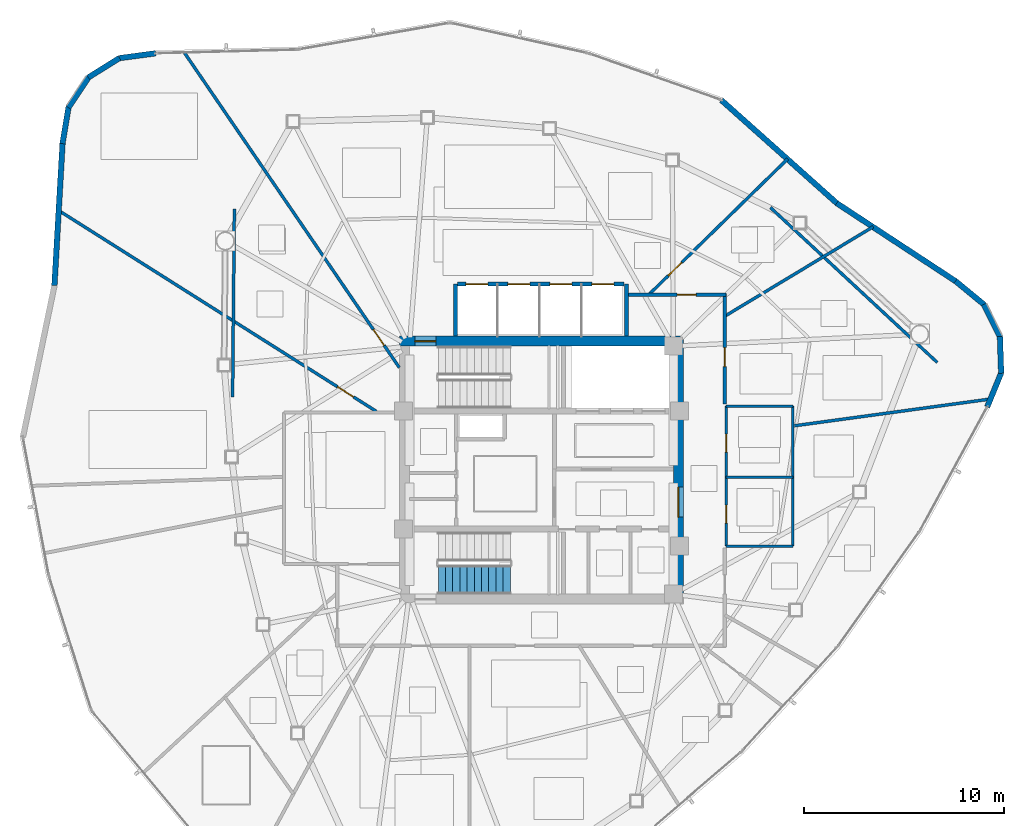
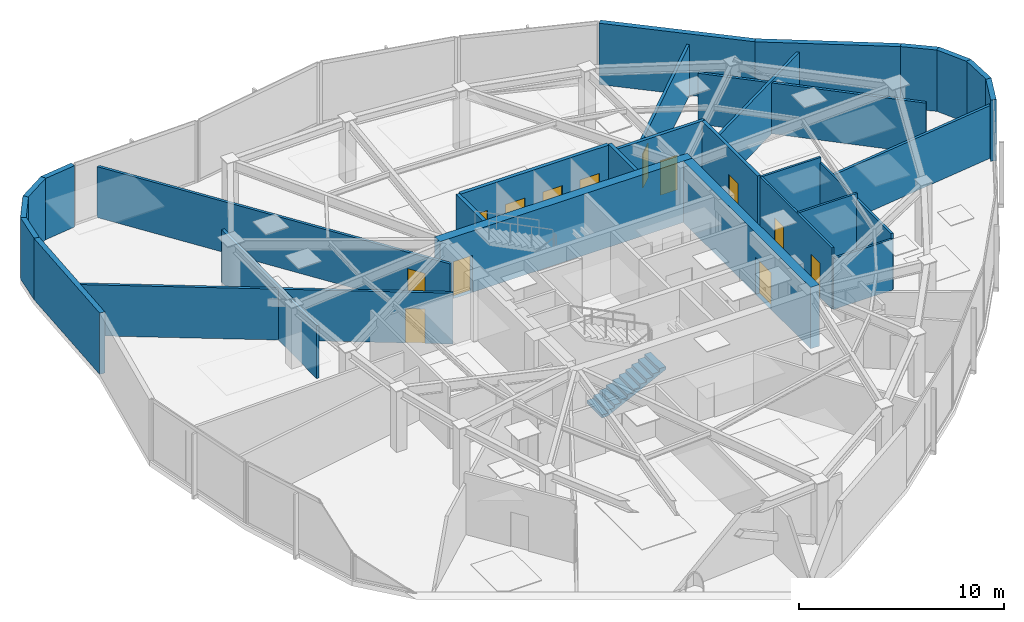
# One storey, part 9 of 13: 30 walls, 13 doors, 1 stair flight, 13 openings, 1 element without a shape of its own.
"""IFC4 building model written with IfcOpenShell, lengths in metres."""

import ifcopenshell
import ifcopenshell.guid

model = None  # the IFC model being written
_history = None  # IfcOwnerHistory: only IFC2X3 demands one
_inside = {}  # id of a spatial element -> (the spatial element, [elements in it])
_under = {}  # id of a project, library or spatial element -> (it, [spatial elements below it])
_declared = {}  # id of a project -> (the project, [libraries it declares])
_typed = {}  # id of a type object -> (the type object, [elements of that type])
_made_of = {}  # id of a material, layer set ... -> (it, [elements and type objects made of it])


def new_model(schema):
    """Start an empty IFC model of exactly this schema.

    Asked for "IFC4X3", IfcOpenShell would pick the latest addendum, in which some entities
    have other attributes; the version numbers below select the first issue.
    IFC2X3 requires an IfcOwnerHistory on every rooted entity: one is made here for all.
    """
    global model, _history
    if schema == "IFC4X3":
        model = ifcopenshell.file(schema_version=(4, 3, 0, 0))
    else:
        model = ifcopenshell.file(schema=schema)
    _inside.clear()
    _under.clear()
    _declared.clear()
    _typed.clear()
    _made_of.clear()
    _history = None
    if model.schema == "IFC2X3":
        org = make("IfcOrganization", Name="unknown")
        user = make(
            "IfcPersonAndOrganization",
            ThePerson=make("IfcPerson", FamilyName="unknown"),
            TheOrganization=org,
        )
        app = make(
            "IfcApplication",
            ApplicationDeveloper=org,
            Version="unknown",
            ApplicationFullName="unknown",
            ApplicationIdentifier="unknown",
        )
        _history = make(
            "IfcOwnerHistory",
            OwningUser=user,
            OwningApplication=app,
            ChangeAction="ADDED",
            CreationDate=0,
        )
    return model


def make(cls, **values):
    """One entity of the class cls with the attributes given. An attribute that is None is left unset."""
    return model.create_entity(
        cls, **{name: value for name, value in values.items() if value is not None}
    )


def rooted(cls, **values):
    """An entity with a GlobalId (a new one), such as an element, a storey or a relation."""
    return make(cls, GlobalId=ifcopenshell.guid.new(), OwnerHistory=_history, **values)


def si_unit(unit_type, name, prefix=None):
    """IfcSIUnit, for example si_unit("LENGTHUNIT", "METRE", prefix="MILLI")."""
    return make("IfcSIUnit", UnitType=unit_type, Prefix=prefix, Name=name)


def assignment(units):
    """IfcUnitAssignment: the units of a project."""
    return None if units is None else make("IfcUnitAssignment", Units=units)


def point(xyz):
    """IfcCartesianPoint."""
    return None if xyz is None else make("IfcCartesianPoint", Coordinates=xyz)


def direction(xyz):
    """IfcDirection."""
    return None if xyz is None else make("IfcDirection", DirectionRatios=xyz)


def frame(location, z_axis=None, x_axis=None):
    """IfcAxis2Placement3D, a coordinate frame: its origin and axes. An axis left out is left unset."""
    return make(
        "IfcAxis2Placement3D",
        Location=point(location),
        Axis=direction(z_axis),
        RefDirection=direction(x_axis),
    )


def frame_2d(location, x_axis=None):
    """IfcAxis2Placement2D, a coordinate frame in the plane: its origin and x axis."""
    return make(
        "IfcAxis2Placement2D", Location=point(location), RefDirection=direction(x_axis)
    )


def origin():
    """The frame at (0, 0, 0) with its axes left unset."""
    return frame((0.0, 0.0, 0.0))


def place(relative_to, where):
    """IfcLocalPlacement: puts the frame where relative to a parent placement (None: the world)."""
    return make(
        "IfcLocalPlacement", PlacementRelTo=relative_to, RelativePlacement=where
    )


def context(
    kind, dimensions, precision=None, world=None, true_north=None, identifier=None
):
    """IfcGeometricRepresentationContext, for example the 3D "Model" context."""
    return make(
        "IfcGeometricRepresentationContext",
        ContextIdentifier=identifier,
        ContextType=kind,
        CoordinateSpaceDimension=dimensions,
        Precision=precision,
        WorldCoordinateSystem=world,
        TrueNorth=true_north,
    )


def subcontext(parent, identifier, kind, view, scale=None):
    """IfcGeometricRepresentationSubContext, for example "Body" below "Model"."""
    return make(
        "IfcGeometricRepresentationSubContext",
        ContextIdentifier=identifier,
        ContextType=kind,
        ParentContext=parent,
        TargetScale=scale,
        TargetView=view,
    )


def project(units=None, contexts=None):
    """IfcProject with its units and contexts."""
    return rooted(
        "IfcProject",
        Name="project",
        RepresentationContexts=contexts,
        UnitsInContext=assignment(units),
    )


def spatial(cls, under=None, at=None, **own):
    """A site, building, storey or space (cls), placed at a placement, below another one or the project."""
    s = rooted(cls, ObjectPlacement=at, **own)
    if under is not None:
        _under.setdefault(under.id(), (under, []))[1].append(s)
    return s


def polyline(points):
    """IfcPolyline through the points."""
    return make("IfcPolyline", Points=[point(p) for p in points])


def profile(cls, at=None, kind="AREA", **sizes):
    """A parametric profile (cls). Its sizes go by their IFC names, for example OverallWidth=200.0."""
    return make(cls, ProfileType=kind, Position=at, **sizes)


def rectangle(**sizes):
    """IfcRectangleProfileDef."""
    return profile("IfcRectangleProfileDef", **sizes)


def outline(outer, holes=None, kind="AREA"):
    """IfcArbitraryClosedProfileDef: a profile drawn as a closed curve; with holes, ...WithVoids."""
    if holes is None:
        return make("IfcArbitraryClosedProfileDef", ProfileType=kind, OuterCurve=outer)
    return make(
        "IfcArbitraryProfileDefWithVoids",
        ProfileType=kind,
        OuterCurve=outer,
        InnerCurves=holes,
    )


def extrude(swept, where, along, depth):
    """IfcExtrudedAreaSolid: the profile swept, set in the frame where, extruded along a direction by depth."""
    return make(
        "IfcExtrudedAreaSolid",
        SweptArea=swept,
        Position=where,
        ExtrudedDirection=direction(along),
        Depth=depth,
    )


def shape(context_of_items, identifier, shape_type, items):
    """IfcShapeRepresentation: the items that make up one representation, for example the "Body"."""
    return make(
        "IfcShapeRepresentation",
        ContextOfItems=context_of_items,
        RepresentationIdentifier=identifier,
        RepresentationType=shape_type,
        Items=items,
    )


def material(Name=None, Category=None):
    """IfcMaterial."""
    return make("IfcMaterial", Name=Name, Category=Category)


def layer(
    of_material, thickness, ventilated=None, Name=None, Category=None, Priority=None
):
    """IfcMaterialLayer: one layer of a wall or slab, of a material (None: an air gap)."""
    return make(
        "IfcMaterialLayer",
        Material=of_material,
        LayerThickness=thickness,
        IsVentilated=ventilated,
        Name=Name,
        Category=Category,
        Priority=Priority,
    )


def layer_set(layers, Name=None):
    """IfcMaterialLayerSet."""
    return make("IfcMaterialLayerSet", MaterialLayers=layers, LayerSetName=Name)


def made_of(thing, what):
    """Note that an element or type object is made of a material, layer set ...; save() writes the relation."""
    if what is not None:
        _made_of.setdefault(what.id(), (what, []))[1].append(thing)
    return thing


def type_object(cls, material=None, **own):
    """A type object (cls), such as IfcWallType, which elements share."""
    return made_of(rooted(cls, **own), material)


def element(
    cls,
    number,
    at=None,
    inside=None,
    cuts=None,
    type_object=None,
    material=None,
    context=None,
    identifier="Body",
    shape_type=None,
    held_by="IfcProductDefinitionShape",
    body=None,
    shapes=None,
    **own,
):
    """One element of the class cls, such as IfcWall. Its Tag is "e" and its number.

    at: its placement. inside: the storey or other place that contains it. cuts: it is an
    opening in that element (IfcRelVoidsElement). A single representation is given by context,
    identifier, shape_type and body (its items); several are given by shapes. held_by: the class
    of the entity that holds the representations. save() writes the other relations.
    """
    e = rooted(cls, Tag="e%d" % number, ObjectPlacement=at, **own)
    if body is not None:
        shapes = [shape(context, identifier, shape_type, body)]
    if shapes is not None:
        e.Representation = make(held_by, Representations=shapes)
    if inside is not None:
        _inside.setdefault(inside.id(), (inside, []))[1].append(e)
    if cuts is not None:
        rooted(
            "IfcRelVoidsElement", RelatingBuildingElement=cuts, RelatedOpeningElement=e
        )
    if type_object is not None:
        _typed.setdefault(type_object.id(), (type_object, []))[1].append(e)
    return made_of(e, material)


def fill(opening, filler):
    """IfcRelFillsElement: the door or window that sits in an opening."""
    return rooted(
        "IfcRelFillsElement",
        RelatingOpeningElement=opening,
        RelatedBuildingElement=filler,
    )


def aggregate(whole, parts):
    """IfcRelAggregates: a whole, such as a stair, and the parts it consists of."""
    return rooted("IfcRelAggregates", RelatingObject=whole, RelatedObjects=parts)


def save(model, path):
    """Write the relations noted so far, then the file.

    IfcRelAggregates (storeys below a building ...), IfcRelContainedInSpatialStructure (elements
    in a storey), IfcRelDefinesByType, IfcRelAssociatesMaterial and IfcRelDeclares: one each for
    every whole, place, type object, material and project.
    """
    for whole, parts in _under.values():
        aggregate(whole, parts)
    for where, things in _inside.values():
        rooted(
            "IfcRelContainedInSpatialStructure",
            RelatedElements=things,
            RelatingStructure=where,
        )
    for kind, things in _typed.values():
        rooted("IfcRelDefinesByType", RelatedObjects=things, RelatingType=kind)
    for what, things in _made_of.values():
        rooted("IfcRelAssociatesMaterial", RelatedObjects=things, RelatingMaterial=what)
    for by, libraries in _declared.values():
        rooted("IfcRelDeclares", RelatingContext=by, RelatedDefinitions=libraries)
    model.write(path)


model = new_model("IFC4")

# Units and contexts
model_context = context("Model", 3, precision=1e-05, world=origin(), true_north=direction((0.0, 1.0)))
body_context = subcontext(model_context, "Body", "Model", "MODEL_VIEW")
ifc_project = project(units=[si_unit("LENGTHUNIT", "METRE"), si_unit("AREAUNIT", "SQUARE_METRE"), si_unit("VOLUMEUNIT", "CUBIC_METRE"), si_unit("PLANEANGLEUNIT", "RADIAN"), si_unit("MASSUNIT", "GRAM", prefix="KILO")], contexts=[model_context])

# Site, building, storey
site_placement = place(None, origin())
site = spatial("IfcSite", under=ifc_project, at=site_placement, CompositionType="ELEMENT")
building_placement = place(site_placement, origin())
building = spatial("IfcBuilding", under=site, at=building_placement, Name="Tavelor Broadcast Tower", CompositionType="ELEMENT")
storey_placement = place(building_placement, frame((0.0, 0.0, 226.10009765625)))
storey = spatial("IfcBuildingStorey", under=building, at=storey_placement, Name="L53", CompositionType="ELEMENT", Elevation=226.10009765625)

# Wall, opening, door
ifc_material_1 = material(Name="Concrete C50/60", Category="concrete")
ifc_layer_1 = layer(ifc_material_1, 0.5)
ifc_layer_set_1 = layer_set([ifc_layer_1], Name="Concrete C50/60")
wall_type_1 = type_object("IfcWallType", Name="Core Shear Wall 500 mm", PredefinedType="SHEAR", material=ifc_layer_set_1)
wall_1_placement = place(storey_placement, frame((42.89990234375, 51.449951171875, 0.0), z_axis=(0.0, 0.0, 1.0), x_axis=(1.0, 0.0, 0.0)))
wall_1 = element("IfcWall", 1, at=wall_1_placement, inside=storey, type_object=wall_type_1, Name="L53 Central Core Shear Wall N", PredefinedType="SHEAR", context=body_context, shape_type="SweptSolid", body=[
    extrude(rectangle(XDim=14.2001953125, YDim=0.5, at=frame_2d((7.10009765625, 0.0))), origin(), (0.0, 0.0, 1.0), 3.64990234375),
])
opening_1_placement = place(wall_1_placement, frame((0.780029296875, 0.0, 0.0)))
opening_1 = element("IfcOpeningElement", 2, at=opening_1_placement, cuts=wall_1, Name="Opening DR11", PredefinedType="OPENING", context=body_context, shape_type="SweptSolid", body=[
    extrude(rectangle(XDim=1.050048828125, YDim=2.199951171875, at=frame_2d((0.52490234375, 1.10009765625))), frame((0.0, 0.260009765625, 0.0), z_axis=(0.0, -1.0, 0.0), x_axis=(1.0, 0.0, 0.0)), (0.0, 0.0, 1.0), 0.52001953125),
])
ifc_material_2 = material(Name="Steel S355", Category="steel")
door_type_1 = type_object("IfcDoorType", Name="Stair Core Fire Escape Door 1050x2200", OperationType="NOTDEFINED", PredefinedType="DOOR", material=ifc_material_2)
door_1_placement = place(opening_1_placement, origin())
door_1 = element("IfcDoor", 3, at=door_1_placement, inside=storey, type_object=door_type_1, Name="L53 Stair ST1 Protected Exit Door", OperationType="SINGLE_SWING_LEFT", OverallHeight=2.199951171875, OverallWidth=1.050048828125, PredefinedType="DOOR", context=body_context, shape_type="SweptSolid", body=[
    extrude(rectangle(XDim=1.050048828125, YDim=2.199951171875, at=frame_2d((0.52490234375, 1.10009765625))), frame((0.0, 0.02490234375, 0.0), z_axis=(0.0, -1.0, 0.0), x_axis=(1.0, 0.0, 0.0)), (0.0, 0.0, 1.0), 0.050048828125),
])
fill(opening_1, door_1)

wall_2_placement = place(storey_placement, frame((56.85009765625, 38.800048828125, 0.0), z_axis=(0.0, 0.0, 1.0), x_axis=(0.0, 1.0, 0.0)))
wall_2 = element("IfcWall", 4, at=wall_2_placement, inside=storey, type_object=wall_type_1, Name="L53 Central Core Shear Wall E", PredefinedType="SHEAR", context=body_context, shape_type="SweptSolid", body=[
    extrude(rectangle(XDim=12.39990234375, YDim=0.5, at=frame_2d((6.199951171875, 0.0))), origin(), (0.0, 0.0, 1.0), 3.64990234375),
])
opening_2_placement = place(wall_2_placement, frame((3.85009765625, 0.0, 0.0)))
opening_2 = element("IfcOpeningElement", 5, at=opening_2_placement, cuts=wall_2, Name="Opening DR14", PredefinedType="OPENING", context=body_context, shape_type="SweptSolid", body=[
    extrude(rectangle(XDim=1.5, YDim=2.199951171875, at=frame_2d((0.75, 1.10009765625))), frame((0.0, 0.260009765625, 0.0), z_axis=(0.0, -1.0, 0.0), x_axis=(1.0, 0.0, 0.0)), (0.0, 0.0, 1.0), 0.52001953125),
])
door_type_2 = type_object("IfcDoorType", Name="Firefighting Lobby Double Fire Door 1500x2200", OperationType="NOTDEFINED", PredefinedType="DOOR", material=ifc_material_2)
door_2_placement = place(opening_2_placement, origin())
door_2 = element("IfcDoor", 6, at=door_2_placement, inside=storey, type_object=door_type_2, Name="L53 Central Core Lobby Fire Door", OperationType="SINGLE_SWING_LEFT", OverallHeight=2.199951171875, OverallWidth=1.5, PredefinedType="DOOR", context=body_context, shape_type="SweptSolid", body=[
    extrude(rectangle(XDim=1.5, YDim=2.199951171875, at=frame_2d((0.75, 1.10009765625))), frame((0.0, 0.02490234375, 0.0), z_axis=(0.0, -1.0, 0.0), x_axis=(1.0, 0.0, 0.0)), (0.0, 0.0, 1.0), 0.050048828125),
])
fill(opening_2, door_2)

ifc_material_3 = material(Name="Calcium Silicate Fire Board 180 mm", Category="gypsum")
ifc_layer_2 = layer(ifc_material_3, 0.179931640625)
ifc_layer_set_2 = layer_set([ifc_layer_2], Name="Calcium Silicate Fire Board 180 mm")
wall_type_2 = type_object("IfcWallType", Name="Fire-Rated Corridor Partition Wall 180 mm", PredefinedType="PARTITIONING", material=ifc_layer_set_2)
wall_3_placement = place(storey_placement, frame((54.300048828125, 53.780029296875, 0.0), z_axis=(0.0, 0.0, 1.0), x_axis=(1.0, 0.0, 0.0)))
wall_3 = element("IfcWall", 7, at=wall_3_placement, inside=storey, type_object=wall_type_2, Name="L53 Corridor Compartment Wall 01", PredefinedType="PARTITIONING", context=body_context, shape_type="SweptSolid", body=[
    extrude(rectangle(XDim=4.929931640625, YDim=0.179931640625, at=frame_2d((2.46484375, 0.0))), origin(), (0.0, 0.0, 1.0), 3.64990234375),
])
opening_3_placement = place(wall_3_placement, frame((2.486083984375, 0.0, 0.0)))
opening_3 = element("IfcOpeningElement", 8, at=opening_3_placement, cuts=wall_3, Name="Opening DR18", PredefinedType="OPENING", context=body_context, shape_type="SweptSolid", body=[
    extrude(rectangle(XDim=0.949951171875, YDim=2.050048828125, at=frame_2d((0.47509765625, 1.02490234375))), frame((0.0, 0.10009765625, 0.0), z_axis=(0.0, -1.0, 0.0), x_axis=(1.0, 0.0, 0.0)), (0.0, 0.0, 1.0), 0.199951171875),
])
ifc_material_4 = material(Name="Timber Solid Core Hardwood", Category="wood")
door_type_3 = type_object("IfcDoorType", Name="Corridor Rated Compartment Door 950x2050", OperationType="NOTDEFINED", PredefinedType="DOOR", material=ifc_material_4)
door_3_placement = place(opening_3_placement, origin())
door_3 = element("IfcDoor", 9, at=door_3_placement, inside=storey, type_object=door_type_3, Name="L53 Podcast Recording Studio Door R9", OperationType="SINGLE_SWING_RIGHT", OverallHeight=2.050048828125, OverallWidth=0.949951171875, PredefinedType="DOOR", context=body_context, shape_type="SweptSolid", body=[
    extrude(rectangle(XDim=0.949951171875, YDim=2.050048828125, at=frame_2d((0.47509765625, 1.02490234375))), frame((0.0, 0.02490234375, 0.0), z_axis=(0.0, -1.0, 0.0), x_axis=(1.0, 0.0, 0.0)), (0.0, 0.0, 1.0), 0.050048828125),
])
fill(opening_3, door_3)

wall_4_placement = place(storey_placement, frame((59.179931640625, 53.830078125, 0.0), z_axis=(0.0, 0.0, 1.0), x_axis=(0.0, -1.0, 0.0)))
wall_4 = element("IfcWall", 10, at=wall_4_placement, inside=storey, type_object=wall_type_2, Name="L53 Corridor Compartment Wall 02", PredefinedType="PARTITIONING", context=body_context, shape_type="SweptSolid", body=[
    extrude(rectangle(XDim=5.530029296875, YDim=0.179931640625, at=frame_2d((2.76513671875, 0.0))), origin(), (0.0, 0.0, 1.0), 3.64990234375),
])
opening_4_placement = place(wall_4_placement, frame((2.708984375, 0.0, 0.0)))
opening_4 = element("IfcOpeningElement", 11, at=opening_4_placement, cuts=wall_4, Name="Opening DR18", PredefinedType="OPENING", context=body_context, shape_type="SweptSolid", body=[
    extrude(rectangle(XDim=0.949951171875, YDim=2.050048828125, at=frame_2d((0.47509765625, 1.02490234375))), frame((0.0, 0.10009765625, 0.0), z_axis=(0.0, -1.0, 0.0), x_axis=(1.0, 0.0, 0.0)), (0.0, 0.0, 1.0), 0.199951171875),
])
door_4_placement = place(opening_4_placement, origin())
door_4 = element("IfcDoor", 12, at=door_4_placement, inside=storey, type_object=door_type_3, Name="L53 Broadcast Craft Workshop Door R10", OperationType="SINGLE_SWING_LEFT", OverallHeight=2.050048828125, OverallWidth=0.949951171875, PredefinedType="DOOR", context=body_context, shape_type="SweptSolid", body=[
    extrude(rectangle(XDim=0.949951171875, YDim=2.050048828125, at=frame_2d((0.47509765625, 1.02490234375))), frame((0.0, 0.02490234375, 0.0), z_axis=(0.0, -1.0, 0.0), x_axis=(1.0, 0.0, 0.0)), (0.0, 0.0, 1.0), 0.050048828125),
])
fill(opening_4, door_4)

# Walls
ifc_material_5 = material(Name="Precast Concrete C40/50", Category="concrete")
ifc_layer_3 = layer(ifc_material_5, 0.280029296875)
ifc_layer_set_3 = layer_set([ifc_layer_3], Name="Precast Concrete C40/50")
wall_type_3 = type_object("IfcWallType", Name="Insulated Precast Terracotta Facade Wall 280 mm", PredefinedType="STANDARD", material=ifc_layer_set_3)
wall_5_placement = place(storey_placement, frame((30.71142578125, 65.843505859375, 0.0), z_axis=(0.0, 0.0, 1.0), x_axis=(-0.99110396013, -0.133089970376, 0.0)))
element("IfcWall", 13, at=wall_5_placement, inside=storey, type_object=wall_type_3, Name="L53 Rounded Corner Structural Cladding Pier 01", PredefinedType="STANDARD", context=body_context, shape_type="SweptSolid", body=[
    extrude(rectangle(XDim=1.84716796875, YDim=0.280029296875, at=frame_2d((0.923583984375, 0.0))), origin(), (0.0, 0.0, 1.0), 3.64990234375),
])
for number, where, z_axis, x_axis, name in (
    (14, (28.908203125, 65.607421875, 0.0), (0.0, 0.0, 1.0), (-0.84852846064, -0.529149743914, 0.0), "L53 Rounded Corner Structural Cladding Pier 02"),
    (15, (27.371826171875, 64.656494140625, 0.0), (0.0, 0.0, 1.0), (-0.555590034271, -0.831456381189, 0.0), "L53 Rounded Corner Structural Cladding Pier 03"),
):
    element("IfcWall", number, at=place(storey_placement, frame(where, z_axis=z_axis, x_axis=x_axis)), inside=storey, type_object=wall_type_3, Name=name, PredefinedType="STANDARD", context=body_context, shape_type="SweptSolid", body=[
        extrude(rectangle(XDim=1.83544921875, YDim=0.280029296875, at=frame_2d((0.917724609375, 0.0))), origin(), (0.0, 0.0, 1.0), 3.64990234375),
    ])
wall_6_placement = place(storey_placement, frame((26.36279296875, 63.15771484375, 0.0), z_axis=(0.0, 0.0, 1.0), x_axis=(-0.164100698814, -0.986443592229, 0.0)))
element("IfcWall", 16, at=wall_6_placement, inside=storey, type_object=wall_type_3, Name="L53 Rounded Corner Structural Cladding Pier 04", PredefinedType="STANDARD", context=body_context, shape_type="SweptSolid", body=[
    extrude(rectangle(XDim=1.858154296875, YDim=0.280029296875, at=frame_2d((0.92919921875, 0.0))), origin(), (0.0, 0.0, 1.0), 3.64990234375),
])
wall_7_placement = place(storey_placement, frame((26.06103515625, 61.3544921875, 0.0), z_axis=(0.0, 0.0, 1.0), x_axis=(-0.057145290903, -0.998365872678, 0.0)))
element("IfcWall", 17, at=wall_7_placement, inside=storey, type_object=wall_type_3, Name="L53 Rounded Corner Structural Cladding Pier 05", PredefinedType="STANDARD", context=body_context, shape_type="SweptSolid", body=[
    extrude(rectangle(XDim=7.134765625, YDim=0.280029296875, at=frame_2d((3.5673828125, 0.0))), origin(), (0.0, 0.0, 1.0), 3.64990234375),
])
wall_8_placement = place(storey_placement, frame((72.29541015625, 48.1650390625, 0.0), z_axis=(0.0, 0.0, 1.0), x_axis=(0.380284386487, 0.924869604536, 0.0)))
element("IfcWall", 18, at=wall_8_placement, inside=storey, type_object=wall_type_3, Name="L53 Rounded Corner Structural Cladding Pier 21", PredefinedType="STANDARD", context=body_context, shape_type="SweptSolid", body=[
    extrude(rectangle(XDim=1.846923828125, YDim=0.280029296875, at=frame_2d((0.92333984375, 0.0))), origin(), (0.0, 0.0, 1.0), 3.64990234375),
])
for number, where, z_axis, x_axis, name in (
    (19, (72.992431640625, 49.844482421875, 0.0), (0.0, 0.0, 1.0), (-0.034049980518, 0.99942013129, 0.0), "L53 Rounded Corner Structural Cladding Pier 22"),
    (20, (72.93701171875, 51.650634765625, 0.0), (0.0, 0.0, 1.0), (-0.442258774517, 0.896887493704, 0.0), "L53 Rounded Corner Structural Cladding Pier 23"),
):
    element("IfcWall", number, at=place(storey_placement, frame(where, z_axis=z_axis, x_axis=x_axis)), inside=storey, type_object=wall_type_3, Name=name, PredefinedType="STANDARD", context=body_context, shape_type="SweptSolid", body=[
        extrude(rectangle(XDim=1.83544921875, YDim=0.280029296875, at=frame_2d((0.917724609375, 0.0))), origin(), (0.0, 0.0, 1.0), 3.64990234375),
    ])
wall_9_placement = place(storey_placement, frame((72.1435546875, 53.273681640625, 0.0), z_axis=(0.0, 0.0, 1.0), x_axis=(-0.772116029825, 0.635481578401, 0.0)))
element("IfcWall", 21, at=wall_9_placement, inside=storey, type_object=wall_type_3, Name="L53 Rounded Corner Structural Cladding Pier 24", PredefinedType="STANDARD", context=body_context, shape_type="SweptSolid", body=[
    extrude(rectangle(XDim=1.8583984375, YDim=0.280029296875, at=frame_2d((0.92919921875, 0.0))), origin(), (0.0, 0.0, 1.0), 3.64990234375),
])
wall_10_placement = place(storey_placement, frame((70.73291015625, 54.436767578125, 0.0), z_axis=(0.0, 0.0, 1.0), x_axis=(-0.836040062558, 0.548668400583, 0.0)))
element("IfcWall", 22, at=wall_10_placement, inside=storey, type_object=wall_type_3, Name="L53 Rounded Corner Structural Cladding Pier 25", PredefinedType="STANDARD", context=body_context, shape_type="SweptSolid", body=[
    extrude(rectangle(XDim=7.134521484375, YDim=0.280029296875, at=frame_2d((3.5673828125, 0.0))), origin(), (0.0, 0.0, 1.0), 3.64990234375),
])
wall_11_placement = place(storey_placement, frame((64.791748046875, 58.333251953125, 0.0), z_axis=(0.0, 0.0, 1.0), x_axis=(-0.745976161207, 0.665972647269, 0.0)))
element("IfcWall", 23, at=wall_11_placement, inside=storey, type_object=wall_type_3, Name="L53 Rounded Corner Structural Cladding Pier 26", PredefinedType="STANDARD", context=body_context, shape_type="SweptSolid", body=[
    extrude(rectangle(XDim=7.763427734375, YDim=0.280029296875, at=frame_2d((3.8818359375, 0.0))), origin(), (0.0, 0.0, 1.0), 3.64990234375),
])
ifc_material_6 = material(Name="Gypsum Acoustic Plasterboard 150 mm", Category="gypsum")
ifc_layer_4 = layer(ifc_material_6, 0.14990234375)
ifc_layer_set_4 = layer_set([ifc_layer_4], Name="Gypsum Acoustic Plasterboard 150 mm")
wall_type_4 = type_object("IfcWallType", Name="Interior Acoustic Partition Wall 150 mm", PredefinedType="PARTITIONING", material=ifc_layer_set_4)
wall_12_placement = place(storey_placement, frame((34.651611328125, 58.0556640625, 0.0), z_axis=(0.0, 0.0, 1.0), x_axis=(-0.009553538759, -0.999954363907, 0.0)))
element("IfcWall", 24, at=wall_12_placement, inside=storey, type_object=wall_type_4, Name="L53 Corner Tube Brace Furring Wall 1", PredefinedType="PARTITIONING", context=body_context, shape_type="SweptSolid", body=[
    extrude(rectangle(XDim=9.404296875, YDim=0.14990234375, at=frame_2d((4.7021484375, 0.0))), origin(), (0.0, 0.0, 1.0), 3.135009765625),
])
wall_13_placement = place(storey_placement, frame((69.79248046875, 50.387939453125, 0.0), z_axis=(0.0, 0.0, 1.0), x_axis=(-0.732769799181, 0.680476613418, 0.0)))
element("IfcWall", 25, at=wall_13_placement, inside=storey, type_object=wall_type_4, Name="L53 Corner Tube Brace Furring Wall 3", PredefinedType="PARTITIONING", context=body_context, shape_type="SweptSolid", body=[
    extrude(rectangle(XDim=11.377685546875, YDim=0.14990234375, at=frame_2d((5.68896484375, 0.0))), origin(), (0.0, 0.0, 1.0), 3.02490234375),
])
wall_14_placement = place(storey_placement, frame((62.64990234375, 47.2177734375, 0.0), z_axis=(0.0, 0.0, 1.0), x_axis=(0.990815618687, 0.135219857145, 0.0)))
element("IfcWall", 26, at=wall_14_placement, inside=storey, type_object=wall_type_4, Name="L53 Radial Compartment Wall 03", PredefinedType="PARTITIONING", context=body_context, shape_type="SweptSolid", body=[
    extrude(rectangle(XDim=9.90869140625, YDim=0.14990234375, at=frame_2d((4.954345703125, 0.0))), origin(), (0.0, 0.0, 1.0), 3.135009765625),
])
wall_15_placement = place(storey_placement, frame((59.179931640625, 52.70263671875, 0.0), z_axis=(0.0, 0.0, 1.0), x_axis=(0.856467782729, 0.516200481544, 0.0)))
element("IfcWall", 27, at=wall_15_placement, inside=storey, type_object=wall_type_4, Name="L53 Radial Compartment Wall 04", PredefinedType="PARTITIONING", context=body_context, shape_type="SweptSolid", body=[
    extrude(rectangle(XDim=8.65087890625, YDim=0.14990234375, at=frame_2d((4.325439453125, 0.0))), origin(), (0.0, 0.0, 1.0), 3.135009765625),
])

# Wall, opening, door
wall_16_placement = place(storey_placement, frame((55.3798828125, 53.780029296875, 0.0), z_axis=(0.0, 0.0, 1.0), x_axis=(0.715018135808, 0.699105904327, 0.0)))
wall_16 = element("IfcWall", 28, at=wall_16_placement, inside=storey, type_object=wall_type_4, Name="L53 Radial Compartment Wall 05", PredefinedType="PARTITIONING", context=body_context, shape_type="SweptSolid", body=[
    extrude(rectangle(XDim=9.69677734375, YDim=0.14990234375, at=frame_2d((4.848388671875, 0.0))), origin(), (0.0, 0.0, 1.0), 3.02490234375),
])
opening_5_placement = place(wall_16_placement, frame((1.35009765625, 0.0, 0.0)))
opening_5 = element("IfcOpeningElement", 29, at=opening_5_placement, cuts=wall_16, Name="Opening DR18", PredefinedType="OPENING", context=body_context, shape_type="SweptSolid", body=[
    extrude(rectangle(XDim=0.949951171875, YDim=2.050048828125, at=frame_2d((0.47509765625, 1.02490234375))), frame((0.0, 0.0849609375, 0.0), z_axis=(0.0, -1.0, 0.0), x_axis=(1.0, 0.0, 0.0)), (0.0, 0.0, 1.0), 0.169921875),
])
door_5_placement = place(opening_5_placement, origin())
door_5 = element("IfcDoor", 30, at=door_5_placement, inside=storey, type_object=door_type_3, Name="L53 Suite Connecting Door 8", OperationType="SINGLE_SWING_RIGHT", OverallHeight=2.050048828125, OverallWidth=0.949951171875, PredefinedType="DOOR", context=body_context, shape_type="SweptSolid", body=[
    extrude(rectangle(XDim=0.949951171875, YDim=2.050048828125, at=frame_2d((0.47509765625, 1.02490234375))), frame((0.0, 0.02490234375, 0.0), z_axis=(0.0, -1.0, 0.0), x_axis=(1.0, 0.0, 0.0)), (0.0, 0.0, 1.0), 0.050048828125),
])
fill(opening_5, door_5)

wall_17_placement = place(storey_placement, frame((42.89990234375, 50.1279296875, 0.0), z_axis=(0.0, 0.0, 1.0), x_axis=(-0.563748413046, 0.825946564124, 0.0)))
wall_17 = element("IfcWall", 31, at=wall_17_placement, inside=storey, type_object=wall_type_4, Name="L53 Radial Compartment Wall 06", PredefinedType="PARTITIONING", context=body_context, shape_type="SweptSolid", body=[
    extrude(rectangle(XDim=19.08349609375, YDim=0.14990234375, at=frame_2d((9.541748046875, 0.0))), origin(), (0.0, 0.0, 1.0), 3.02490234375),
])
opening_6_placement = place(wall_17_placement, frame((1.35009765625, 0.0, 0.0)))
opening_6 = element("IfcOpeningElement", 32, at=opening_6_placement, cuts=wall_17, Name="Opening DR18", PredefinedType="OPENING", context=body_context, shape_type="SweptSolid", body=[
    extrude(rectangle(XDim=0.949951171875, YDim=2.050048828125, at=frame_2d((0.47509765625, 1.02490234375))), frame((0.0, 0.0849609375, 0.0), z_axis=(0.0, -1.0, 0.0), x_axis=(1.0, 0.0, 0.0)), (0.0, 0.0, 1.0), 0.169921875),
])
door_6_placement = place(opening_6_placement, origin())
door_6 = element("IfcDoor", 33, at=door_6_placement, inside=storey, type_object=door_type_3, Name="L53 Suite Connecting Door 7", OperationType="SINGLE_SWING_LEFT", OverallHeight=2.050048828125, OverallWidth=0.949951171875, PredefinedType="DOOR", context=body_context, shape_type="SweptSolid", body=[
    extrude(rectangle(XDim=0.949951171875, YDim=2.050048828125, at=frame_2d((0.47509765625, 1.02490234375))), frame((0.0, 0.02490234375, 0.0), z_axis=(0.0, -1.0, 0.0), x_axis=(1.0, 0.0, 0.0)), (0.0, 0.0, 1.0), 0.050048828125),
])
fill(opening_6, door_6)

wall_18_placement = place(storey_placement, frame((41.750244140625, 47.93994140625, 0.0), z_axis=(0.0, 0.0, 1.0), x_axis=(-0.845215418547, 0.534425763086, 0.0)))
wall_18 = element("IfcWall", 34, at=wall_18_placement, inside=storey, type_object=wall_type_4, Name="L53 Radial Compartment Wall 07", PredefinedType="PARTITIONING", context=body_context, shape_type="SweptSolid", body=[
    extrude(rectangle(XDim=18.80224609375, YDim=0.14990234375, at=frame_2d((9.401123046875, 0.0))), origin(), (0.0, 0.0, 1.0), 3.02490234375),
])
opening_7_placement = place(wall_18_placement, frame((1.35009765625, 0.0, 0.0)))
opening_7 = element("IfcOpeningElement", 35, at=opening_7_placement, cuts=wall_18, Name="Opening DR18", PredefinedType="OPENING", context=body_context, shape_type="SweptSolid", body=[
    extrude(rectangle(XDim=0.949951171875, YDim=2.050048828125, at=frame_2d((0.47509765625, 1.02490234375))), frame((0.0, 0.0849609375, 0.0), z_axis=(0.0, -1.0, 0.0), x_axis=(1.0, 0.0, 0.0)), (0.0, 0.0, 1.0), 0.169921875),
])
door_7_placement = place(opening_7_placement, origin())
door_7 = element("IfcDoor", 36, at=door_7_placement, inside=storey, type_object=door_type_3, Name="L53 Suite Connecting Door 6", OperationType="SINGLE_SWING_RIGHT", OverallHeight=2.050048828125, OverallWidth=0.949951171875, PredefinedType="DOOR", context=body_context, shape_type="SweptSolid", body=[
    extrude(rectangle(XDim=0.949951171875, YDim=2.050048828125, at=frame_2d((0.47509765625, 1.02490234375))), frame((0.0, 0.02490234375, 0.0), z_axis=(0.0, -1.0, 0.0), x_axis=(1.0, 0.0, 0.0)), (0.0, 0.0, 1.0), 0.050048828125),
])
fill(opening_7, door_7)

# Wall, openings, doors
ifc_material_7 = material(Name="Concrete Blockwork 200 mm", Category="masonry")
ifc_layer_5 = layer(ifc_material_7, 0.199951171875)
ifc_layer_set_5 = layer_set([ifc_layer_5], Name="Concrete Blockwork 200 mm")
wall_type_5 = type_object("IfcWallType", Name="Lift Hoistway Rated Front Wall 200 mm", PredefinedType="PARTITIONING", material=ifc_layer_set_5)
wall_19_placement = place(storey_placement, frame((45.820068359375, 54.300048828125, 0.0), z_axis=(0.0, 0.0, 1.0), x_axis=(1.0, 0.0, 0.0)))
wall_19 = element("IfcWall", 37, at=wall_19_placement, inside=storey, type_object=wall_type_5, Name="L53 High-Rise Lift Hoistway Front Wall", PredefinedType="PARTITIONING", context=body_context, shape_type="SweptSolid", body=[
    extrude(rectangle(XDim=8.309814453125, YDim=0.199951171875, at=frame_2d((4.15478515625, 0.0))), origin(), (0.0, 0.0, 1.0), 3.64990234375),
])
opening_8_placement = place(wall_19_placement, frame((0.405029296875, 0.0, 0.0)))
opening_8 = element("IfcOpeningElement", 38, at=opening_8_placement, cuts=wall_19, Name="Opening LD01", PredefinedType="OPENING", context=body_context, shape_type="SweptSolid", body=[
    extrude(rectangle(XDim=1.10009765625, YDim=2.14990234375, at=frame_2d((0.550048828125, 1.074951171875))), frame((0.0, 0.10986328125, 0.0), z_axis=(0.0, -1.0, 0.0), x_axis=(1.0, 0.0, 0.0)), (0.0, 0.0, 1.0), 0.219970703125),
])
opening_9_placement = place(wall_19_placement, frame((2.5048828125, 0.0, 0.0)))
opening_9 = element("IfcOpeningElement", 39, at=opening_9_placement, cuts=wall_19, Name="Opening LD01", PredefinedType="OPENING", context=body_context, shape_type="SweptSolid", body=[
    extrude(rectangle(XDim=1.10009765625, YDim=2.14990234375, at=frame_2d((0.550048828125, 1.074951171875))), frame((0.0, 0.10986328125, 0.0), z_axis=(0.0, -1.0, 0.0), x_axis=(1.0, 0.0, 0.0)), (0.0, 0.0, 1.0), 0.219970703125),
])
opening_10_placement = place(wall_19_placement, frame((4.60498046875, 0.0, 0.0)))
opening_10 = element("IfcOpeningElement", 40, at=opening_10_placement, cuts=wall_19, Name="Opening LD01", PredefinedType="OPENING", context=body_context, shape_type="SweptSolid", body=[
    extrude(rectangle(XDim=1.10009765625, YDim=2.14990234375, at=frame_2d((0.550048828125, 1.074951171875))), frame((0.0, 0.10986328125, 0.0), z_axis=(0.0, -1.0, 0.0), x_axis=(1.0, 0.0, 0.0)), (0.0, 0.0, 1.0), 0.219970703125),
])
opening_11_placement = place(wall_19_placement, frame((6.705078125, 0.0, 0.0)))
opening_11 = element("IfcOpeningElement", 41, at=opening_11_placement, cuts=wall_19, Name="Opening LD01", PredefinedType="OPENING", context=body_context, shape_type="SweptSolid", body=[
    extrude(rectangle(XDim=1.10009765625, YDim=2.14990234375, at=frame_2d((0.550048828125, 1.074951171875))), frame((0.0, 0.10986328125, 0.0), z_axis=(0.0, -1.0, 0.0), x_axis=(1.0, 0.0, 0.0)), (0.0, 0.0, 1.0), 0.219970703125),
])
ifc_material_8 = material(Name="Brushed Stainless Steel", Category="steel")
door_type_4 = type_object("IfcDoorType", Name="Passenger Lift Sliding Landing Door 1100x2150", OperationType="NOTDEFINED", PredefinedType="DOOR", material=ifc_material_8)
door_8_placement = place(opening_8_placement, origin())
door_8 = element("IfcDoor", 42, at=door_8_placement, inside=storey, type_object=door_type_4, Name="L53 Lift PLH1 Sliding Landing Door", OperationType="SLIDING_TO_LEFT", OverallHeight=2.14990234375, OverallWidth=1.10009765625, PredefinedType="DOOR", context=body_context, shape_type="SweptSolid", body=[
    extrude(rectangle(XDim=1.10009765625, YDim=2.14990234375, at=frame_2d((0.550048828125, 1.074951171875))), frame((0.0, 0.02490234375, 0.0), z_axis=(0.0, -1.0, 0.0), x_axis=(1.0, 0.0, 0.0)), (0.0, 0.0, 1.0), 0.050048828125),
])
fill(opening_8, door_8)
door_9_placement = place(opening_9_placement, origin())
door_9 = element("IfcDoor", 43, at=door_9_placement, inside=storey, type_object=door_type_4, Name="L53 Lift PLH2 Sliding Landing Door", OperationType="SLIDING_TO_RIGHT", OverallHeight=2.14990234375, OverallWidth=1.10009765625, PredefinedType="DOOR", context=body_context, shape_type="SweptSolid", body=[
    extrude(rectangle(XDim=1.10009765625, YDim=2.14990234375, at=frame_2d((0.550048828125, 1.074951171875))), frame((0.0, 0.02490234375, 0.0), z_axis=(0.0, -1.0, 0.0), x_axis=(1.0, 0.0, 0.0)), (0.0, 0.0, 1.0), 0.050048828125),
])
fill(opening_9, door_9)
door_10_placement = place(opening_10_placement, origin())
door_10 = element("IfcDoor", 44, at=door_10_placement, inside=storey, type_object=door_type_4, Name="L53 Lift PLH3 Sliding Landing Door", OperationType="SLIDING_TO_LEFT", OverallHeight=2.14990234375, OverallWidth=1.10009765625, PredefinedType="DOOR", context=body_context, shape_type="SweptSolid", body=[
    extrude(rectangle(XDim=1.10009765625, YDim=2.14990234375, at=frame_2d((0.550048828125, 1.074951171875))), frame((0.0, 0.02490234375, 0.0), z_axis=(0.0, -1.0, 0.0), x_axis=(1.0, 0.0, 0.0)), (0.0, 0.0, 1.0), 0.050048828125),
])
fill(opening_10, door_10)
door_11_placement = place(opening_11_placement, origin())
door_11 = element("IfcDoor", 45, at=door_11_placement, inside=storey, type_object=door_type_4, Name="L53 Lift PLH4 Sliding Landing Door", OperationType="SLIDING_TO_RIGHT", OverallHeight=2.14990234375, OverallWidth=1.10009765625, PredefinedType="DOOR", context=body_context, shape_type="SweptSolid", body=[
    extrude(rectangle(XDim=1.10009765625, YDim=2.14990234375, at=frame_2d((0.550048828125, 1.074951171875))), frame((0.0, 0.02490234375, 0.0), z_axis=(0.0, -1.0, 0.0), x_axis=(1.0, 0.0, 0.0)), (0.0, 0.0, 1.0), 0.050048828125),
])
fill(opening_11, door_11)

# Walls
ifc_layer_6 = layer(ifc_material_7, 0.199951171875)
ifc_layer_set_6 = layer_set([ifc_layer_6], Name="Concrete Blockwork 200 mm")
wall_type_6 = type_object("IfcWallType", Name="Lift and Riser Shaft Enclosure Wall 200 mm", PredefinedType="PARTITIONING", material=ifc_layer_set_6)
for number, where, z_axis, x_axis, name in (
    (46, (45.699951171875, 51.699951171875, 0.0), (0.0, 0.0, 1.0), (0.0, 1.0, 0.0), "L53 High-Rise Lift Shaft West Wall"),
    (47, (54.25, 51.699951171875, 0.0), (0.0, 0.0, 1.0), (0.0, 1.0, 0.0), "L53 High-Rise Lift Shaft East Wall"),
):
    element("IfcWall", number, at=place(storey_placement, frame(where, z_axis=z_axis, x_axis=x_axis)), inside=storey, type_object=wall_type_6, Name=name, PredefinedType="PARTITIONING", context=body_context, shape_type="SweptSolid", body=[
        extrude(rectangle(XDim=2.60009765625, YDim=0.199951171875, at=frame_2d((1.300048828125, 0.0))), origin(), (0.0, 0.0, 1.0), 3.64990234375),
    ])

# Wall, openings, doors
ifc_material_9 = material(Name="Moisture-Resistant Plasterboard 120 mm", Category="gypsum")
ifc_layer_7 = layer(ifc_material_9, 0.1201171875)
ifc_layer_set_7 = layer_set([ifc_layer_7], Name="Moisture-Resistant Plasterboard 120 mm")
wall_type_7 = type_object("IfcWallType", Name="Moisture-Resistant Wet-Room Partition 120 mm", PredefinedType="PARTITIONING", material=ifc_layer_set_7)
wall_20_placement = place(storey_placement, frame((59.239990234375, 41.199951171875, 0.0), z_axis=(0.0, 0.0, 1.0), x_axis=(0.0, 1.0, 0.0)))
wall_20 = element("IfcWall", 48, at=wall_20_placement, inside=storey, type_object=wall_type_7, Name="L53 Floor Washrooms West Wall", PredefinedType="PARTITIONING", context=body_context, shape_type="SweptSolid", body=[
    extrude(rectangle(XDim=7.0, YDim=0.1201171875, at=frame_2d((3.5, 0.0))), origin(), (0.0, 0.0, 1.0), 3.64990234375),
])
opening_12_placement = place(wall_20_placement, frame((1.14990234375, 0.0, 0.0)))
opening_12 = element("IfcOpeningElement", 49, at=opening_12_placement, cuts=wall_20, Name="Opening DR32", PredefinedType="OPENING", context=body_context, shape_type="SweptSolid", body=[
    extrude(rectangle(XDim=0.89990234375, YDim=2.050048828125, at=frame_2d((0.449951171875, 1.02490234375))), frame((0.0, 0.070068359375, 0.0), z_axis=(0.0, -1.0, 0.0), x_axis=(1.0, 0.0, 0.0)), (0.0, 0.0, 1.0), 0.14013671875),
])
opening_13_placement = place(wall_20_placement, frame((4.699951171875, 0.0, 0.0)))
opening_13 = element("IfcOpeningElement", 50, at=opening_13_placement, cuts=wall_20, Name="Opening DR32", PredefinedType="OPENING", context=body_context, shape_type="SweptSolid", body=[
    extrude(rectangle(XDim=0.89990234375, YDim=2.050048828125, at=frame_2d((0.449951171875, 1.02490234375))), frame((0.0, 0.070068359375, 0.0), z_axis=(0.0, -1.0, 0.0), x_axis=(1.0, 0.0, 0.0)), (0.0, 0.0, 1.0), 0.14013671875),
])
door_type_5 = type_object("IfcDoorType", Name="Accessible Washroom Door 900x2050", OperationType="NOTDEFINED", PredefinedType="DOOR", material=ifc_material_4)
door_12_placement = place(opening_12_placement, origin())
door_12 = element("IfcDoor", 51, at=door_12_placement, inside=storey, type_object=door_type_5, Name="L53 Accessible WC Door", OperationType="SINGLE_SWING_LEFT", OverallHeight=2.050048828125, OverallWidth=0.89990234375, PredefinedType="DOOR", context=body_context, shape_type="SweptSolid", body=[
    extrude(rectangle(XDim=0.89990234375, YDim=2.050048828125, at=frame_2d((0.449951171875, 1.02490234375))), frame((0.0, 0.02490234375, 0.0), z_axis=(0.0, -1.0, 0.0), x_axis=(1.0, 0.0, 0.0)), (0.0, 0.0, 1.0), 0.050048828125),
])
fill(opening_12, door_12)
door_13_placement = place(opening_13_placement, origin())
door_13 = element("IfcDoor", 52, at=door_13_placement, inside=storey, type_object=door_type_5, Name="L53 Staff Washroom WC Door", OperationType="SINGLE_SWING_RIGHT", OverallHeight=2.050048828125, OverallWidth=0.89990234375, PredefinedType="DOOR", context=body_context, shape_type="SweptSolid", body=[
    extrude(rectangle(XDim=0.89990234375, YDim=2.050048828125, at=frame_2d((0.449951171875, 1.02490234375))), frame((0.0, 0.02490234375, 0.0), z_axis=(0.0, -1.0, 0.0), x_axis=(1.0, 0.0, 0.0)), (0.0, 0.0, 1.0), 0.050048828125),
])
fill(opening_13, door_13)

# Walls
wall_21_placement = place(storey_placement, frame((59.239990234375, 41.199951171875, 0.0), z_axis=(0.0, 0.0, 1.0), x_axis=(1.0, 0.0, 0.0)))
element("IfcWall", 53, at=wall_21_placement, inside=storey, type_object=wall_type_7, Name="L53 Floor Washrooms South Wall", PredefinedType="PARTITIONING", context=body_context, shape_type="SweptSolid", body=[
    extrude(rectangle(XDim=3.340087890625, YDim=0.1201171875, at=frame_2d((1.669921875, 0.0))), origin(), (0.0, 0.0, 1.0), 3.02490234375),
])
for number, where, z_axis, x_axis, name in (
    (54, (59.239990234375, 44.64990234375, 0.0), (0.0, 0.0, 1.0), (1.0, 0.0, 0.0), "L53 Floor Washrooms Divider Wall"),
    (55, (59.239990234375, 48.199951171875, 0.0), (0.0, 0.0, 1.0), (1.0, 0.0, 0.0), "L53 Floor Washrooms North Wall"),
):
    element("IfcWall", number, at=place(storey_placement, frame(where, z_axis=z_axis, x_axis=x_axis)), inside=storey, type_object=wall_type_7, Name=name, PredefinedType="PARTITIONING", context=body_context, shape_type="SweptSolid", body=[
        extrude(rectangle(XDim=3.340087890625, YDim=0.1201171875, at=frame_2d((1.669921875, 0.0))), origin(), (0.0, 0.0, 1.0), 3.64990234375),
    ])
wall_22_placement = place(storey_placement, frame((62.580078125, 41.199951171875, 0.0), z_axis=(0.0, 0.0, 1.0), x_axis=(0.0, 1.0, 0.0)))
element("IfcWall", 56, at=wall_22_placement, inside=storey, type_object=wall_type_7, Name="L53 Floor Washrooms East Wall", PredefinedType="PARTITIONING", context=body_context, shape_type="SweptSolid", body=[
    extrude(rectangle(XDim=7.0, YDim=0.1201171875, at=frame_2d((3.5, 0.0))), origin(), (0.0, 0.0, 1.0), 3.324951171875),
])

# Stair, stair flight
ifc_material_10 = material(Name="Concrete C40/50", Category="concrete")
stair_type = type_object("IfcStairType", Name="Reinforced Concrete Protected Dogleg Stair 1450 mm", PredefinedType="HALF_TURN_STAIR", material=ifc_material_10)
stair_placement = place(storey_placement, origin())
stair = element("IfcStair", 57, at=stair_placement, inside=storey, type_object=stair_type, Name="L53 Protected Core Exit Stair ST2", PredefinedType="HALF_TURN_STAIR")
stair_flight_type = type_object("IfcStairFlightType", Name="Reinforced Concrete Stair Flight 1450 mm", PredefinedType="STRAIGHT", material=ifc_material_10)
stair_flight_placement = place(storey_placement, frame((44.85009765625, 39.52490234375, 0.0), z_axis=(0.0, 0.0, 1.0), x_axis=(1.0, 0.0, 0.0)))
stair_flight = element("IfcStairFlight", 58, at=stair_flight_placement, type_object=stair_flight_type, Name="ST2 flight 1", NumberOfRisers=11, NumberOfTreads=10, PredefinedType="STRAIGHT", RiserHeight=0.179545455, TreadLength=0.36, context=body_context, shape_type="SweptSolid", body=[
    extrude(outline(polyline([(0.0, 0.0), (0.0, 0.179443359375), (0.360107421875, 0.179443359375), (0.360107421875, 0.359130859375), (0.719970703125, 0.359130859375), (0.719970703125, 0.53857421875), (1.080078125, 0.53857421875), (1.080078125, 0.71826171875), (1.43994140625, 0.71826171875), (1.43994140625, 0.897705078125), (1.800048828125, 0.897705078125), (1.800048828125, 1.077392578125), (2.159912109375, 1.077392578125), (2.159912109375, 1.2568359375), (2.52001953125, 1.2568359375), (2.52001953125, 1.436279296875), (2.8798828125, 1.436279296875), (2.8798828125, 1.615966796875), (3.239990234375, 1.615966796875), (3.239990234375, 1.79541015625), (3.60009765625, 1.79541015625), (3.60009765625, 1.97509765625), (3.60009765625, 1.6279296875), (0.3359375, 0.0), (0.0, 0.0)])), frame((0.0, 0.72509765625, 0.0), z_axis=(0.0, -1.0, 0.0), x_axis=(1.0, 0.0, 0.0)), (0.0, 0.0, 1.0), 1.449951171875),
])
aggregate(stair, [stair_flight])

save(model, "model.ifc")
